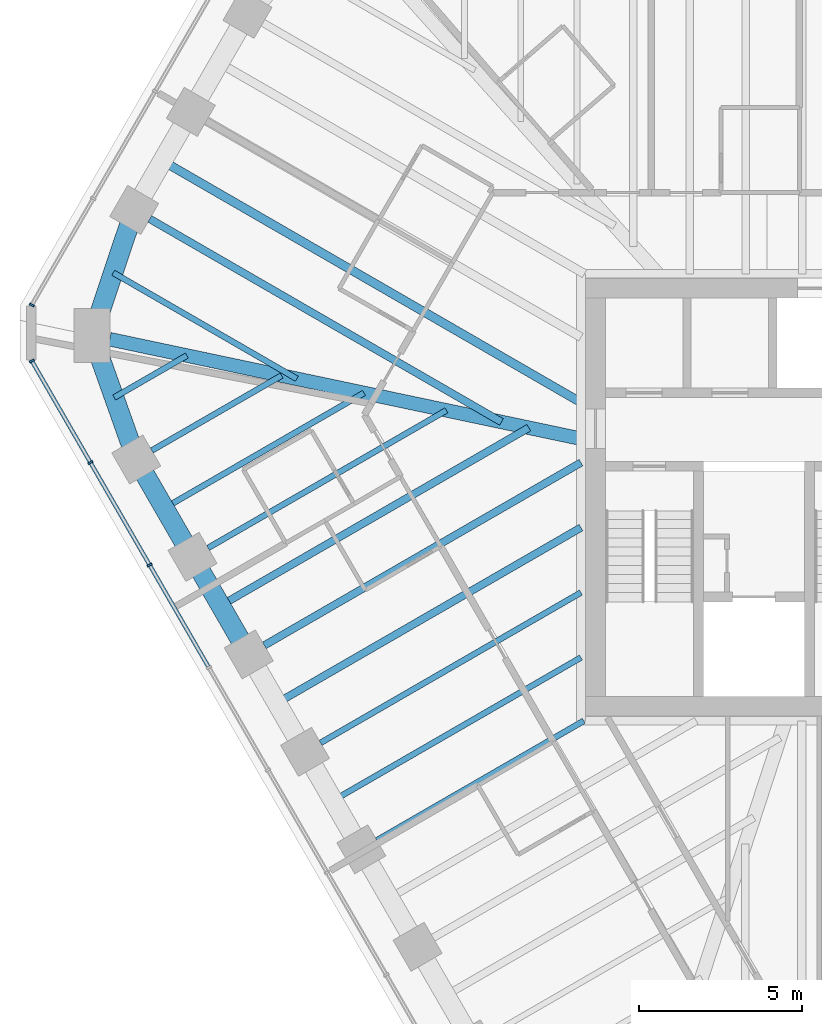
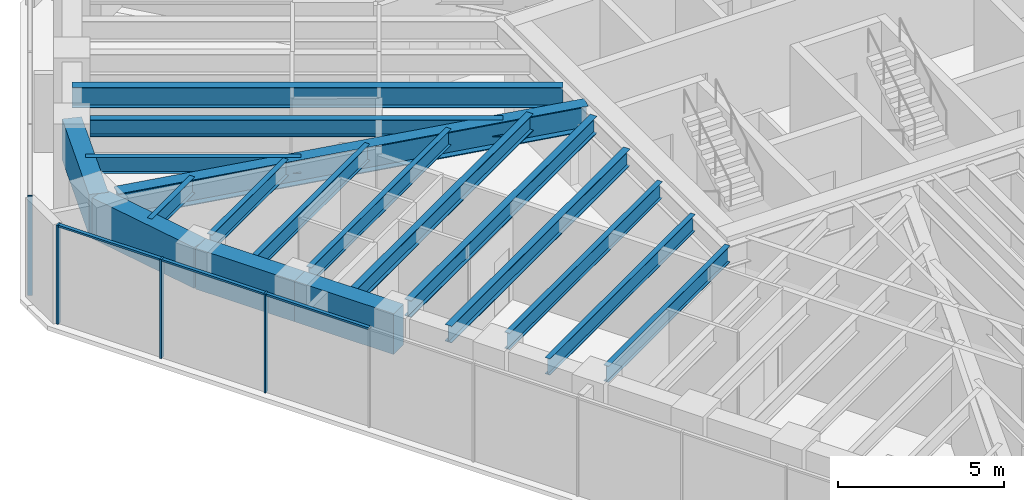
# One storey, part 3 of 14: 18 beams, 7 members, 2 elements without a shape of their own.
"""IFC4 building model written with IfcOpenShell, lengths in metres."""

from ifc_helpers import new_model, si_unit, direction, frame, origin, origin_2d, place, context, subcontext, project, spatial, rectangle, i_section, extrude, material, material_profile, profile_set, type_object, element, aggregate, save


model = new_model("IFC4")

# Units and contexts
model_context = context("Model", 3, precision=1e-05, world=origin(), true_north=direction((0.0, 1.0)))
body_context = subcontext(model_context, "Body", "Model", "MODEL_VIEW")
ifc_project = project(units=[si_unit("LENGTHUNIT", "METRE"), si_unit("AREAUNIT", "SQUARE_METRE"), si_unit("VOLUMEUNIT", "CUBIC_METRE"), si_unit("PLANEANGLEUNIT", "RADIAN"), si_unit("MASSUNIT", "GRAM", prefix="KILO")], contexts=[model_context])

# Site, building, storey
site_placement = place(None, origin())
site = spatial("IfcSite", under=ifc_project, at=site_placement, CompositionType="ELEMENT")
building_placement = place(site_placement, origin())
building = spatial("IfcBuilding", under=site, at=building_placement, Name="Sandreach Pilgrim Tower", CompositionType="ELEMENT")
storey_placement = place(building_placement, frame((0.0, 0.0, 268.39990234375)))
storey = spatial("IfcBuildingStorey", under=building, at=storey_placement, Name="L67", CompositionType="ELEMENT", Elevation=268.39990234375)

# Curtain wall, members
ifc_material_1 = material(Name="Aluminium framed curtain wall", Category="aluminium")
curtain_wall_type = type_object("IfcCurtainWallType", Name="Suite tower curtain wall", PredefinedType="NOTDEFINED", material=ifc_material_1)
curtain_wall_1_placement = place(storey_placement, origin())
curtain_wall_1 = element("IfcCurtainWall", 1, at=curtain_wall_1_placement, inside=storey, type_object=curtain_wall_type, Name="CW-4 L67 SW", PredefinedType="NOTDEFINED")
ifc_material_2 = material(Name="Aluminium extrusion", Category="aluminium")
ifc_material_profile_1 = material_profile(ifc_material_2, rectangle(XDim=0.06005859375, YDim=0.159912109375, at=origin_2d()), Name="CW-4M 60X160")
ifc_profile_set_1 = profile_set([ifc_material_profile_1], Name="Aluminium extrusion")
member_type_1 = type_object("IfcMemberType", Name="CW-4 mullion", PredefinedType="MULLION", material=ifc_profile_set_1)
member_1_placement = place(storey_placement, frame((-21.697509765625, -2.071533203125, 0.0), z_axis=(0.0, 0.0, 1.0), x_axis=(-0.5, 0.866025403784, 0.0)))
member_1 = element("IfcMember", 2, at=member_1_placement, type_object=member_type_1, Name="CW-4 mullion 8", PredefinedType="MULLION", context=body_context, shape_type="SweptSolid", body=[
    extrude(rectangle(XDim=0.06005859375, YDim=0.159912109375, at=origin_2d()), origin(), (0.0, 0.0, 1.0), 3.64013671875),
])
member_2_placement = place(storey_placement, frame((-23.508544921875, 1.06494140625, 0.0), z_axis=(0.0, 0.0, 1.0), x_axis=(-0.5, 0.866025403784, 0.0)))
member_2 = element("IfcMember", 3, at=member_2_placement, type_object=member_type_1, Name="CW-4 mullion 9", PredefinedType="MULLION", context=body_context, shape_type="SweptSolid", body=[
    extrude(rectangle(XDim=0.06005859375, YDim=0.159912109375, at=origin_2d()), origin(), (0.0, 0.0, 1.0), 3.64013671875),
])
member_3_placement = place(storey_placement, frame((-25.304443359375, 4.175537109375, 0.0), z_axis=(0.0, 0.0, 1.0), x_axis=(-0.5, 0.866025403784, 0.0)))
member_3 = element("IfcMember", 4, at=member_3_placement, type_object=member_type_1, Name="CW-4 mullion 10", PredefinedType="MULLION", context=body_context, shape_type="SweptSolid", body=[
    extrude(rectangle(XDim=0.06005859375, YDim=0.159912109375, at=origin_2d()), origin(), (0.0, 0.0, 1.0), 3.64013671875),
])

# Curtain wall, member
curtain_wall_2_placement = place(storey_placement, origin())
curtain_wall_2 = element("IfcCurtainWall", 5, at=curtain_wall_2_placement, inside=storey, type_object=curtain_wall_type, Name="CW-4 L67 NW", PredefinedType="NOTDEFINED")
member_4_placement = place(storey_placement, frame((-25.304443359375, 5.8876953125, 0.0), z_axis=(0.0, 0.0, 1.0), x_axis=(0.5, 0.866025403784, 0.0)))
member_4 = element("IfcMember", 6, at=member_4_placement, type_object=member_type_1, Name="CW-4 mullion 1", PredefinedType="MULLION", context=body_context, shape_type="SweptSolid", body=[
    extrude(rectangle(XDim=0.06005859375, YDim=0.159912109375, at=origin_2d()), origin(), (0.0, 0.0, 1.0), 3.64013671875),
])
aggregate(curtain_wall_2, [member_4])

# Member
ifc_material_3 = material(Name="Aluminium extrusion", Category="aluminium")
ifc_material_profile_2 = material_profile(ifc_material_3, rectangle(XDim=0.1201171875, YDim=0.070068359375, at=origin_2d()), Name="CW-4T 120X70")
ifc_profile_set_2 = profile_set([ifc_material_profile_2], Name="Aluminium extrusion")
member_type_2 = type_object("IfcMemberType", Name="CW-4 transom", PredefinedType="USERDEFINED", material=ifc_profile_set_2)
member_5_placement = place(storey_placement, frame((-19.901611328125, -5.182373046875, 3.60498046875), z_axis=(-0.500009219579, 0.866020080793, 0.0), x_axis=(-0.866020080793, -0.500009219579, 0.0)))
member_5 = element("IfcMember", 7, at=member_5_placement, type_object=member_type_2, Name="CW-4 head transom 7", ObjectType="TRANSOM", PredefinedType="USERDEFINED", context=body_context, shape_type="SweptSolid", body=[
    extrude(rectangle(XDim=0.1201171875, YDim=0.070068359375, at=origin_2d()), origin(), (0.0, 0.0, 1.0), 3.56201171875),
])

member_6_placement = place(storey_placement, frame((-21.71240234375, -2.045654296875, 3.60498046875), z_axis=(-0.500009219579, 0.866020080793, 0.0), x_axis=(-0.866020080793, -0.500009219579, 0.0)))
member_6 = element("IfcMember", 8, at=member_6_placement, type_object=member_type_2, Name="CW-4 head transom 8", ObjectType="TRANSOM", PredefinedType="USERDEFINED", context=body_context, shape_type="SweptSolid", body=[
    extrude(rectangle(XDim=0.1201171875, YDim=0.070068359375, at=origin_2d()), origin(), (0.0, 0.0, 1.0), 3.56201171875),
])

member_7_placement = place(storey_placement, frame((-23.5234375, 1.091064453125, 3.60498046875), z_axis=(-0.499997709859, 0.866026725994, 0.0), x_axis=(-0.866026725994, -0.499997709859, 0.0)))
member_7 = element("IfcMember", 9, at=member_7_placement, type_object=member_type_2, Name="CW-4 head transom 9", ObjectType="TRANSOM", PredefinedType="USERDEFINED", context=body_context, shape_type="SweptSolid", body=[
    extrude(rectangle(XDim=0.1201171875, YDim=0.070068359375, at=origin_2d()), origin(), (0.0, 0.0, 1.0), 3.53173828125),
])

aggregate(curtain_wall_1, [member_1, member_2, member_3, member_5, member_6, member_7])

# Beams
ifc_material_4 = material(Name="Steel ASTM A992 Grade 50", Category="steel")
ifc_material_profile_3 = material_profile(ifc_material_4, i_section(OverallWidth=0.419189453125, OverallDepth=0.927001953125, WebThickness=0.019287109375, FlangeThickness=0.031982421875, at=origin_2d()), Name="W36X231")
ifc_profile_set_3 = profile_set([ifc_material_profile_3], Name="Steel ASTM A992 Grade 50")
beam_type_1 = type_object("IfcBeamType", Name="Corner girder W36X231", PredefinedType="BEAM", material=ifc_profile_set_3)
beam_1_placement = place(storey_placement, frame((-22.917724609375, 4.838623046875, 3.176513671875), z_axis=(0.978430270369, -0.206577360876, 0.0), x_axis=(0.206577360876, 0.978430270369, 0.0)))
element("IfcBeam", 10, at=beam_1_placement, inside=storey, type_object=beam_type_1, Name="BM L67 CG35", PredefinedType="BEAM", context=body_context, shape_type="SweptSolid", body=[
    extrude(i_section(OverallWidth=0.419189453125, OverallDepth=0.927001953125, WebThickness=0.019287109375, FlangeThickness=0.031982421875, at=origin_2d()), origin(), (0.0, 0.0, 1.0), 14.888671875),
])
ifc_material_5 = material(Name="Steel ASTM A992 Grade 50", Category="steel")
ifc_material_profile_4 = material_profile(ifc_material_5, i_section(OverallWidth=0.1787109375, OverallDepth=0.60205078125, WebThickness=0.010986328125, FlangeThickness=0.014892578125, at=origin_2d()), Name="W24X62")
ifc_profile_set_4 = profile_set([ifc_material_profile_4], Name="Steel ASTM A992 Grade 50")
beam_type_2 = type_object("IfcBeamType", Name="Floor beam W24X62", PredefinedType="BEAM", material=ifc_profile_set_4)
beam_2_placement = place(storey_placement, frame((-14.741455078125, -10.5, 3.339111328125), z_axis=(0.866019920622, 0.500009496996, 0.0), x_axis=(-0.500009496996, 0.866019920622, 0.0)))
element("IfcBeam", 11, at=beam_2_placement, inside=storey, type_object=beam_type_2, Name="BM L67 F30", PredefinedType="BEAM", context=body_context, shape_type="SweptSolid", body=[
    extrude(i_section(OverallWidth=0.1787109375, OverallDepth=0.60205078125, WebThickness=0.010986328125, FlangeThickness=0.014892578125, at=origin_2d()), origin(), (0.0, 0.0, 1.0), 7.313232421875),
])
beam_3_placement = place(storey_placement, frame((-16.4638671875, -7.516357421875, 3.339111328125), z_axis=(0.866022580836, 0.500004889459, 0.0), x_axis=(-0.500004889459, 0.866022580836, 0.0)))
element("IfcBeam", 12, at=beam_3_placement, inside=storey, type_object=beam_type_2, Name="BM L67 F31", PredefinedType="BEAM", context=body_context, shape_type="SweptSolid", body=[
    extrude(i_section(OverallWidth=0.1787109375, OverallDepth=0.60205078125, WebThickness=0.010986328125, FlangeThickness=0.014892578125, at=origin_2d()), origin(), (0.0, 0.0, 1.0), 9.20361328125),
])
beam_4_placement = place(storey_placement, frame((-19.908935546875, -1.549560546875, 3.339111328125), z_axis=(0.866026819143, 0.499997548519, 0.0), x_axis=(-0.499997548519, 0.866026819143, 0.0)))
element("IfcBeam", 13, at=beam_4_placement, inside=storey, type_object=beam_type_2, Name="BM L67 F33", PredefinedType="BEAM", context=body_context, shape_type="SweptSolid", body=[
    extrude(i_section(OverallWidth=0.1787109375, OverallDepth=0.60205078125, WebThickness=0.010986328125, FlangeThickness=0.014892578125, at=origin_2d()), origin(), (0.0, 0.0, 1.0), 8.4248046875),
])
beam_5_placement = place(storey_placement, frame((-21.631591796875, 1.433837890625, 3.339111328125), z_axis=(0.866037621819, 0.499978837146, 0.0), x_axis=(-0.499978837146, 0.866037621819, 0.0)))
element("IfcBeam", 14, at=beam_5_placement, inside=storey, type_object=beam_type_2, Name="BM L67 F34", PredefinedType="BEAM", context=body_context, shape_type="SweptSolid", body=[
    extrude(i_section(OverallWidth=0.1787109375, OverallDepth=0.60205078125, WebThickness=0.010986328125, FlangeThickness=0.014892578125, at=origin_2d()), origin(), (0.0, 0.0, 1.0), 4.588623046875),
])
beam_6_placement = place(storey_placement, frame((-16.0791015625, -9.283203125, 3.339111328125), z_axis=(0.866023595995, 0.500003131169, 0.0), x_axis=(-0.500003131169, 0.866023595995, 0.0)))
element("IfcBeam", 15, at=beam_6_placement, inside=storey, type_object=beam_type_2, Name="BM L67 FM30", PredefinedType="BEAM", context=body_context, shape_type="SweptSolid", body=[
    extrude(i_section(OverallWidth=0.1787109375, OverallDepth=0.60205078125, WebThickness=0.010986328125, FlangeThickness=0.014892578125, at=origin_2d()), origin(), (0.0, 0.0, 1.0), 8.75927734375),
])
beam_7_placement = place(storey_placement, frame((-21.24658203125, -0.332763671875, 3.339111328125), z_axis=(0.866028878405, 0.499993981732, 0.0), x_axis=(-0.499993981732, 0.866028878405, 0.0)))
element("IfcBeam", 16, at=beam_7_placement, inside=storey, type_object=beam_type_2, Name="BM L67 FM33", PredefinedType="BEAM", context=body_context, shape_type="SweptSolid", body=[
    extrude(i_section(OverallWidth=0.1787109375, OverallDepth=0.60205078125, WebThickness=0.010986328125, FlangeThickness=0.014892578125, at=origin_2d()), origin(), (0.0, 0.0, 1.0), 7.056640625),
])
beam_8_placement = place(storey_placement, frame((-22.78173828125, 3.0556640625, 3.339111328125), z_axis=(0.8660004255, 0.500043261163, 0.0), x_axis=(-0.500043261163, 0.8660004255, 0.0)))
element("IfcBeam", 17, at=beam_8_placement, inside=storey, type_object=beam_type_2, Name="BM L67 FM34", PredefinedType="BEAM", context=body_context, shape_type="SweptSolid", body=[
    extrude(i_section(OverallWidth=0.1787109375, OverallDepth=0.60205078125, WebThickness=0.010986328125, FlangeThickness=0.014892578125, at=origin_2d()), origin(), (0.0, 0.0, 1.0), 2.569091796875),
])
beam_9_placement = place(storey_placement, frame((-22.8125, 6.875, 3.339111328125), z_axis=(0.866023980233, -0.500002465655, 0.0), x_axis=(0.500002465655, 0.866023980233, 0.0)))
element("IfcBeam", 18, at=beam_9_placement, inside=storey, type_object=beam_type_2, Name="BM L67 FM35", PredefinedType="BEAM", context=body_context, shape_type="SweptSolid", body=[
    extrude(i_section(OverallWidth=0.1787109375, OverallDepth=0.60205078125, WebThickness=0.010986328125, FlangeThickness=0.014892578125, at=origin_2d()), origin(), (0.0, 0.0, 1.0), 6.49072265625),
])
ifc_material_6 = material(Name="Steel ASTM A992 Grade 50", Category="steel")
ifc_material_profile_5 = material_profile(ifc_material_6, i_section(OverallWidth=0.23046875, OverallDepth=0.6171875, WebThickness=0.01318359375, FlangeThickness=0.022216796875, at=origin_2d()), Name="W24X94")
ifc_profile_set_5 = profile_set([ifc_material_profile_5], Name="Steel ASTM A992 Grade 50")
beam_type_3 = type_object("IfcBeamType", Name="Floor beam W24X94", PredefinedType="BEAM", material=ifc_profile_set_5)
beam_10_placement = place(storey_placement, frame((-18.1865234375, -4.532958984375, 3.33154296875), z_axis=(0.866030482771, 0.499991202833, 0.0), x_axis=(-0.499991202833, 0.866030482771, 0.0)))
element("IfcBeam", 19, at=beam_10_placement, inside=storey, type_object=beam_type_3, Name="BM L67 F32", PredefinedType="BEAM", context=body_context, shape_type="SweptSolid", body=[
    extrude(i_section(OverallWidth=0.23046875, OverallDepth=0.6171875, WebThickness=0.01318359375, FlangeThickness=0.022216796875, at=origin_2d()), origin(), (0.0, 0.0, 1.0), 11.192626953125),
])
beam_11_placement = place(storey_placement, frame((-21.69287109375, 8.522705078125, 3.33154296875), z_axis=(0.866028931402, -0.499993889937, 0.0), x_axis=(0.499993889937, 0.866028931402, 0.0)))
element("IfcBeam", 20, at=beam_11_placement, inside=storey, type_object=beam_type_3, Name="BM L67 F36", PredefinedType="BEAM", context=body_context, shape_type="SweptSolid", body=[
    extrude(i_section(OverallWidth=0.23046875, OverallDepth=0.6171875, WebThickness=0.01318359375, FlangeThickness=0.022216796875, at=origin_2d()), origin(), (0.0, 0.0, 1.0), 12.431396484375),
])
beam_12_placement = place(storey_placement, frame((-17.801513671875, -6.2998046875, 3.33154296875), z_axis=(0.866025958161, 0.49999903979, 0.0), x_axis=(-0.49999903979, 0.866025958161, 0.0)))
element("IfcBeam", 21, at=beam_12_placement, inside=storey, type_object=beam_type_3, Name="BM L67 FM31", PredefinedType="BEAM", context=body_context, shape_type="SweptSolid", body=[
    extrude(i_section(OverallWidth=0.23046875, OverallDepth=0.6171875, WebThickness=0.01318359375, FlangeThickness=0.022216796875, at=origin_2d()), origin(), (0.0, 0.0, 1.0), 10.748046875),
])
beam_13_placement = place(storey_placement, frame((-19.52392578125, -3.316162109375, 3.33154296875), z_axis=(0.866029205616, 0.499993414976, 0.0), x_axis=(-0.499993414976, 0.866029205616, 0.0)))
element("IfcBeam", 22, at=beam_13_placement, inside=storey, type_object=beam_type_3, Name="BM L67 FM32", PredefinedType="BEAM", context=body_context, shape_type="SweptSolid", body=[
    extrude(i_section(OverallWidth=0.23046875, OverallDepth=0.6171875, WebThickness=0.01318359375, FlangeThickness=0.022216796875, at=origin_2d()), origin(), (0.0, 0.0, 1.0), 10.893310546875),
])
ifc_material_7 = material(Name="Steel ASTM A992 Grade 50", Category="steel")
ifc_material_profile_6 = material_profile(ifc_material_7, i_section(OverallWidth=0.2666015625, OverallDepth=0.761962890625, WebThickness=0.014404296875, FlangeThickness=0.021484375, at=origin_2d()), Name="W30X116")
ifc_profile_set_6 = profile_set([ifc_material_profile_6], Name="Steel ASTM A992 Grade 50")
beam_type_4 = type_object("IfcBeamType", Name="Floor beam W30X116", PredefinedType="BEAM", material=ifc_profile_set_6)
beam_14_placement = place(storey_placement, frame((-21.302978515625, 10.29833984375, 3.259033203125), z_axis=(0.866028362181, -0.499994875871, 0.0), x_axis=(0.499994875871, 0.866028362181, 0.0)))
element("IfcBeam", 23, at=beam_14_placement, inside=storey, type_object=beam_type_4, Name="BM L67 FM36", PredefinedType="BEAM", context=body_context, shape_type="SweptSolid", body=[
    extrude(i_section(OverallWidth=0.2666015625, OverallDepth=0.761962890625, WebThickness=0.014404296875, FlangeThickness=0.021484375, at=origin_2d()), origin(), (0.0, 0.0, 1.0), 14.791259765625),
])
ifc_material_8 = material(Name="Concrete 10000 psi", Category="concrete")
ifc_material_profile_7 = material_profile(ifc_material_8, rectangle(XDim=0.60009765625, YDim=1.5, at=origin_2d()), Name="RC600X1500")
ifc_profile_set_7 = profile_set([ifc_material_profile_7], Name="Concrete 10000 psi")
beam_type_5 = type_object("IfcBeamType", Name="Spandrel beam RC600X1500", PredefinedType="SPANDREL", material=ifc_profile_set_7)
for number, where, z_axis, x_axis, name in (
    (24, (-18.662841796875, -4.80810546875, 2.89013671875), (-0.499957605418, 0.866049878924, 0.0), (-0.866049878924, -0.499957605418, 0.0), "BM L67 SP32"),
    (25, (-20.38525390625, -1.824462890625, 2.89013671875), (-0.500041441558, 0.866001476168, 0.0), (-0.866001476168, -0.500041441558, 0.0), "BM L67 SP33"),
):
    element("IfcBeam", number, at=place(storey_placement, frame(where, z_axis=z_axis, x_axis=x_axis)), inside=storey, type_object=beam_type_5, Name=name, PredefinedType="SPANDREL", context=body_context, shape_type="SweptSolid", body=[
        extrude(rectangle(XDim=0.60009765625, YDim=1.5, at=origin_2d()), origin(), (0.0, 0.0, 1.0), 3.445068359375),
    ])
beam_15_placement = place(storey_placement, frame((-22.10791015625, 1.158935546875, 2.89013671875), z_axis=(-0.33481464839, 0.94228400773, 0.0), x_axis=(-0.94228400773, -0.33481464839, 0.0)))
element("IfcBeam", 26, at=beam_15_placement, inside=storey, type_object=beam_type_5, Name="BM L67 SP34", PredefinedType="SPANDREL", context=body_context, shape_type="SweptSolid", body=[
    extrude(rectangle(XDim=0.60009765625, YDim=1.5, at=origin_2d()), origin(), (0.0, 0.0, 1.0), 4.02587890625),
])
beam_16_placement = place(storey_placement, frame((-23.455810546875, 4.952392578125, 2.89013671875), z_axis=(0.317293238289, 0.948327475578, 0.0), x_axis=(-0.948327475578, 0.317293238289, 0.0)))
element("IfcBeam", 27, at=beam_16_placement, inside=storey, type_object=beam_type_5, Name="BM L67 SP35", PredefinedType="SPANDREL", context=body_context, shape_type="SweptSolid", body=[
    extrude(rectangle(XDim=0.60009765625, YDim=1.5, at=origin_2d()), origin(), (0.0, 0.0, 1.0), 4.054931640625),
])

save(model, "model.ifc")
